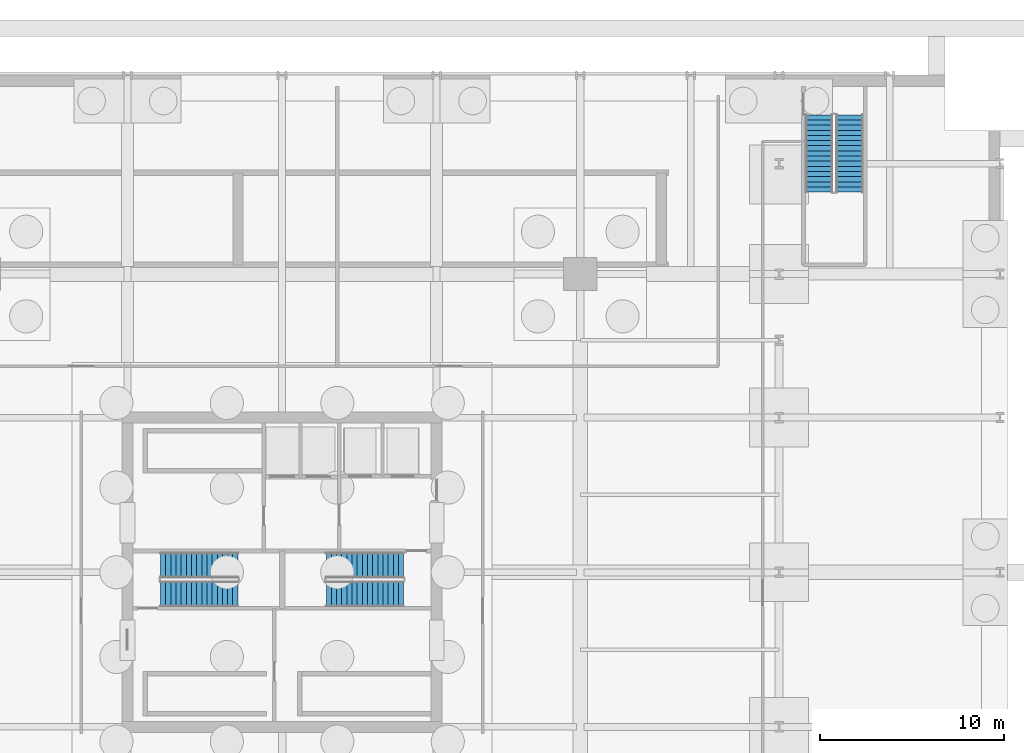
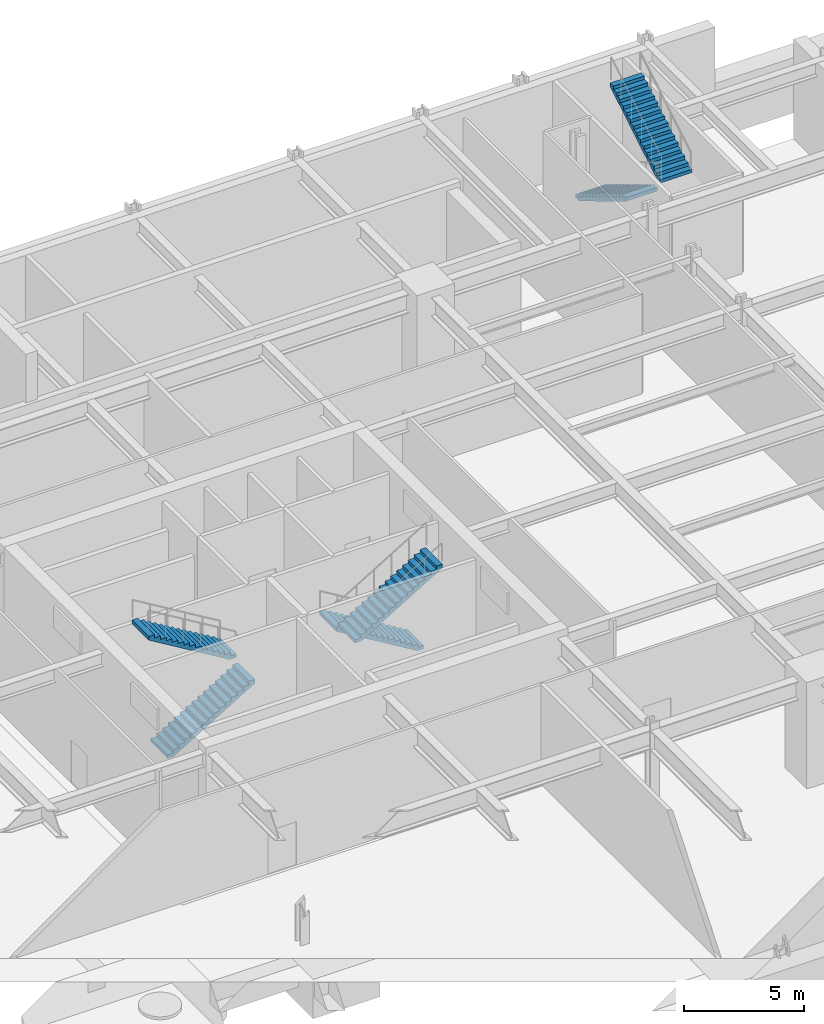
# One storey, part 5 of 9: 6 stair flights, 3 elements without a shape of their own.
"""IFC4 building model written with IfcOpenShell, lengths in metres."""

from ifc_helpers import new_model, si_unit, direction, frame, origin, place, context, subcontext, project, spatial, polyline, outline, extrude, material, type_object, element, aggregate, save


model = new_model("IFC4")

# Units and contexts
model_context = context("Model", 3, precision=1e-05, world=origin(), true_north=direction((0.0, 1.0)))
body_context = subcontext(model_context, "Body", "Model", "MODEL_VIEW")
ifc_project = project(units=[si_unit("LENGTHUNIT", "METRE"), si_unit("AREAUNIT", "SQUARE_METRE"), si_unit("VOLUMEUNIT", "CUBIC_METRE"), si_unit("PLANEANGLEUNIT", "RADIAN"), si_unit("MASSUNIT", "GRAM", prefix="KILO")], contexts=[model_context])

# Site, building, storey
site_placement = place(None, origin())
site = spatial("IfcSite", under=ifc_project, at=site_placement, CompositionType="ELEMENT")
building_placement = place(site_placement, origin())
building = spatial("IfcBuilding", under=site, at=building_placement, Name="Drelvath Grand Hotel", CompositionType="ELEMENT")
storey_placement = place(building_placement, frame((0.0, 0.0, -10.800048828125)))
storey = spatial("IfcBuildingStorey", under=building, at=storey_placement, Name="B2", CompositionType="ELEMENT", Elevation=-10.800048828125)

# Stair, stair flights
ifc_material = material(Name="Concrete C40/50", Category="concrete")
stair_type_1 = type_object("IfcStairType", Name="Dogleg Exit Stair W1400-R168.8", PredefinedType="HALF_TURN_STAIR", material=ifc_material)
stair_1_placement = place(storey_placement, origin())
stair_1 = element("IfcStair", 1, at=stair_1_placement, inside=storey, type_object=stair_type_1, Name="B2 Core Exit Stair ST-1", PredefinedType="HALF_TURN_STAIR")
stair_flight_type_1 = type_object("IfcStairFlightType", Name="Concrete Stair Flight W1400-R168.8", PredefinedType="STRAIGHT", material=ifc_material)
stair_flight_1_placement = place(storey_placement, frame((-6.60009765625, 25.820068359375, 0.0), z_axis=(0.0, 0.0, 1.0), x_axis=(1.0, 0.0, 0.0)))
stair_flight_1 = element("IfcStairFlight", 2, at=stair_flight_1_placement, type_object=stair_flight_type_1, Name="ST-1 flight 1", NumberOfRisers=16, NumberOfTreads=15, PredefinedType="STRAIGHT", RiserHeight=0.16875, TreadLength=0.28, context=body_context, shape_type="SweptSolid", body=[
    extrude(outline(polyline([(0.0, 0.0), (0.0, 0.168701171875), (0.280029296875, 0.168701171875), (0.280029296875, 0.33740234375), (0.56005859375, 0.33740234375), (0.56005859375, 0.50634765625), (0.840087890625, 0.50634765625), (0.840087890625, 0.675048828125), (1.1201171875, 0.675048828125), (1.1201171875, 0.84375), (1.39990234375, 0.84375), (1.39990234375, 1.012451171875), (1.679931640625, 1.012451171875), (1.679931640625, 1.18115234375), (1.9599609375, 1.18115234375), (1.9599609375, 1.35009765625), (2.239990234375, 1.35009765625), (2.239990234375, 1.518798828125), (2.52001953125, 1.518798828125), (2.52001953125, 1.6875), (2.800048828125, 1.6875), (2.800048828125, 1.856201171875), (3.080078125, 1.856201171875), (3.080078125, 2.02490234375), (3.360107421875, 2.02490234375), (3.360107421875, 2.19384765625), (3.639892578125, 2.19384765625), (3.639892578125, 2.362548828125), (3.919921875, 2.362548828125), (3.919921875, 2.53125), (4.199951171875, 2.53125), (4.199951171875, 2.699951171875), (4.199951171875, 2.344482421875), (0.309814453125, 0.0), (0.0, 0.0)])), frame((0.0, 0.699951171875, 0.0), z_axis=(0.0, -1.0, 0.0), x_axis=(1.0, 0.0, 0.0)), (0.0, 0.0, 1.0), 1.39990234375),
])
stair_flight_2_placement = place(storey_placement, frame((-2.39990234375, 27.3798828125, 2.699951171875), z_axis=(0.0, 0.0, 1.0), x_axis=(-1.0, 0.0, 0.0)))
stair_flight_2 = element("IfcStairFlight", 3, at=stair_flight_2_placement, type_object=stair_flight_type_1, Name="ST-1 flight 2", NumberOfRisers=16, NumberOfTreads=15, PredefinedType="STRAIGHT", RiserHeight=0.16875, TreadLength=0.28, context=body_context, shape_type="SweptSolid", body=[
    extrude(outline(polyline([(0.0, 0.0), (0.0, 0.168701171875), (0.280029296875, 0.168701171875), (0.280029296875, 0.33740234375), (0.56005859375, 0.33740234375), (0.56005859375, 0.50634765625), (0.840087890625, 0.50634765625), (0.840087890625, 0.675048828125), (1.1201171875, 0.675048828125), (1.1201171875, 0.84375), (1.39990234375, 0.84375), (1.39990234375, 1.012451171875), (1.679931640625, 1.012451171875), (1.679931640625, 1.18115234375), (1.9599609375, 1.18115234375), (1.9599609375, 1.35009765625), (2.239990234375, 1.35009765625), (2.239990234375, 1.518798828125), (2.52001953125, 1.518798828125), (2.52001953125, 1.6875), (2.800048828125, 1.6875), (2.800048828125, 1.856201171875), (3.080078125, 1.856201171875), (3.080078125, 2.02490234375), (3.360107421875, 2.02490234375), (3.360107421875, 2.19384765625), (3.639892578125, 2.19384765625), (3.639892578125, 2.362548828125), (3.919921875, 2.362548828125), (3.919921875, 2.53125), (4.199951171875, 2.53125), (4.199951171875, 2.699951171875), (4.199951171875, 2.344482421875), (0.309814453125, 0.0), (0.0, 0.0)])), frame((0.0, 0.699951171875, 0.0), z_axis=(0.0, -1.0, 0.0), x_axis=(1.0, 0.0, 0.0)), (0.0, 0.0, 1.0), 1.39990234375),
])
aggregate(stair_1, [stair_flight_1, stair_flight_2])

stair_2_placement = place(storey_placement, origin())
stair_2 = element("IfcStair", 4, at=stair_2_placement, inside=storey, type_object=stair_type_1, Name="B2 Core Exit Stair ST-2", PredefinedType="HALF_TURN_STAIR")
stair_flight_3_placement = place(storey_placement, frame((6.60009765625, 27.3798828125, 0.0), z_axis=(0.0, 0.0, 1.0), x_axis=(-1.0, 0.0, 0.0)))
stair_flight_3 = element("IfcStairFlight", 5, at=stair_flight_3_placement, type_object=stair_flight_type_1, Name="ST-2 flight 1", NumberOfRisers=16, NumberOfTreads=15, PredefinedType="STRAIGHT", RiserHeight=0.16875, TreadLength=0.28, context=body_context, shape_type="SweptSolid", body=[
    extrude(outline(polyline([(0.0, 0.0), (0.0, 0.168701171875), (0.280029296875, 0.168701171875), (0.280029296875, 0.33740234375), (0.56005859375, 0.33740234375), (0.56005859375, 0.50634765625), (0.840087890625, 0.50634765625), (0.840087890625, 0.675048828125), (1.1201171875, 0.675048828125), (1.1201171875, 0.84375), (1.39990234375, 0.84375), (1.39990234375, 1.012451171875), (1.679931640625, 1.012451171875), (1.679931640625, 1.18115234375), (1.9599609375, 1.18115234375), (1.9599609375, 1.35009765625), (2.239990234375, 1.35009765625), (2.239990234375, 1.518798828125), (2.52001953125, 1.518798828125), (2.52001953125, 1.6875), (2.800048828125, 1.6875), (2.800048828125, 1.856201171875), (3.080078125, 1.856201171875), (3.080078125, 2.02490234375), (3.360107421875, 2.02490234375), (3.360107421875, 2.19384765625), (3.639892578125, 2.19384765625), (3.639892578125, 2.362548828125), (3.919921875, 2.362548828125), (3.919921875, 2.53125), (4.199951171875, 2.53125), (4.199951171875, 2.699951171875), (4.199951171875, 2.344482421875), (0.309814453125, 0.0), (0.0, 0.0)])), frame((0.0, 0.699951171875, 0.0), z_axis=(0.0, -1.0, 0.0), x_axis=(1.0, 0.0, 0.0)), (0.0, 0.0, 1.0), 1.39990234375),
])
stair_flight_4_placement = place(storey_placement, frame((2.39990234375, 25.820068359375, 2.699951171875), z_axis=(0.0, 0.0, 1.0), x_axis=(1.0, 0.0, 0.0)))
stair_flight_4 = element("IfcStairFlight", 6, at=stair_flight_4_placement, type_object=stair_flight_type_1, Name="ST-2 flight 2", NumberOfRisers=16, NumberOfTreads=15, PredefinedType="STRAIGHT", RiserHeight=0.16875, TreadLength=0.28, context=body_context, shape_type="SweptSolid", body=[
    extrude(outline(polyline([(0.0, 0.0), (0.0, 0.168701171875), (0.280029296875, 0.168701171875), (0.280029296875, 0.33740234375), (0.56005859375, 0.33740234375), (0.56005859375, 0.50634765625), (0.840087890625, 0.50634765625), (0.840087890625, 0.675048828125), (1.1201171875, 0.675048828125), (1.1201171875, 0.84375), (1.39990234375, 0.84375), (1.39990234375, 1.012451171875), (1.679931640625, 1.012451171875), (1.679931640625, 1.18115234375), (1.9599609375, 1.18115234375), (1.9599609375, 1.35009765625), (2.239990234375, 1.35009765625), (2.239990234375, 1.518798828125), (2.52001953125, 1.518798828125), (2.52001953125, 1.6875), (2.800048828125, 1.6875), (2.800048828125, 1.856201171875), (3.080078125, 1.856201171875), (3.080078125, 2.02490234375), (3.360107421875, 2.02490234375), (3.360107421875, 2.19384765625), (3.639892578125, 2.19384765625), (3.639892578125, 2.362548828125), (3.919921875, 2.362548828125), (3.919921875, 2.53125), (4.199951171875, 2.53125), (4.199951171875, 2.699951171875), (4.199951171875, 2.344482421875), (0.309814453125, 0.0), (0.0, 0.0)])), frame((0.0, 0.699951171875, 0.0), z_axis=(0.0, -1.0, 0.0), x_axis=(1.0, 0.0, 0.0)), (0.0, 0.0, 1.0), 1.39990234375),
])
aggregate(stair_2, [stair_flight_3, stair_flight_4])

stair_type_2 = type_object("IfcStairType", Name="Dogleg Exit Stair W1500-R168.8", PredefinedType="HALF_TURN_STAIR", material=ifc_material)
stair_3_placement = place(storey_placement, origin())
stair_3 = element("IfcStair", 7, at=stair_3_placement, inside=storey, type_object=stair_type_2, Name="B2 Podium Exit Stair ST-4", PredefinedType="HALF_TURN_STAIR")
stair_flight_type_2 = type_object("IfcStairFlightType", Name="Concrete Stair Flight W1500-R168.8", PredefinedType="STRAIGHT", material=ifc_material)
stair_flight_5_placement = place(storey_placement, frame((29.169921875, 51.85009765625, 0.0), z_axis=(0.0, 0.0, 1.0), x_axis=(0.0, -1.0, 0.0)))
stair_flight_5 = element("IfcStairFlight", 8, at=stair_flight_5_placement, type_object=stair_flight_type_2, Name="ST-4 flight 1", NumberOfRisers=16, NumberOfTreads=15, PredefinedType="STRAIGHT", RiserHeight=0.16875, TreadLength=0.28, context=body_context, shape_type="SweptSolid", body=[
    extrude(outline(polyline([(0.0, 0.0), (0.0, 0.168701171875), (0.280029296875, 0.168701171875), (0.280029296875, 0.33740234375), (0.56005859375, 0.33740234375), (0.56005859375, 0.50634765625), (0.840087890625, 0.50634765625), (0.840087890625, 0.675048828125), (1.1201171875, 0.675048828125), (1.1201171875, 0.84375), (1.39990234375, 0.84375), (1.39990234375, 1.012451171875), (1.679931640625, 1.012451171875), (1.679931640625, 1.18115234375), (1.9599609375, 1.18115234375), (1.9599609375, 1.35009765625), (2.239990234375, 1.35009765625), (2.239990234375, 1.518798828125), (2.52001953125, 1.518798828125), (2.52001953125, 1.6875), (2.800048828125, 1.6875), (2.800048828125, 1.856201171875), (3.080078125, 1.856201171875), (3.080078125, 2.02490234375), (3.360107421875, 2.02490234375), (3.360107421875, 2.19384765625), (3.639892578125, 2.19384765625), (3.639892578125, 2.362548828125), (3.919921875, 2.362548828125), (3.919921875, 2.53125), (4.199951171875, 2.53125), (4.199951171875, 2.699951171875), (4.199951171875, 2.344482421875), (0.309814453125, 0.0), (0.0, 0.0)])), frame((0.0, 0.75, 0.0), z_axis=(0.0, -1.0, 0.0), x_axis=(1.0, 0.0, 0.0)), (0.0, 0.0, 1.0), 1.5),
])
stair_flight_6_placement = place(storey_placement, frame((30.830078125, 47.64990234375, 2.699951171875), z_axis=(0.0, 0.0, 1.0), x_axis=(0.0, 1.0, 0.0)))
stair_flight_6 = element("IfcStairFlight", 9, at=stair_flight_6_placement, type_object=stair_flight_type_2, Name="ST-4 flight 2", NumberOfRisers=16, NumberOfTreads=15, PredefinedType="STRAIGHT", RiserHeight=0.16875, TreadLength=0.28, context=body_context, shape_type="SweptSolid", body=[
    extrude(outline(polyline([(0.0, 0.0), (0.0, 0.168701171875), (0.280029296875, 0.168701171875), (0.280029296875, 0.33740234375), (0.56005859375, 0.33740234375), (0.56005859375, 0.50634765625), (0.840087890625, 0.50634765625), (0.840087890625, 0.675048828125), (1.1201171875, 0.675048828125), (1.1201171875, 0.84375), (1.39990234375, 0.84375), (1.39990234375, 1.012451171875), (1.679931640625, 1.012451171875), (1.679931640625, 1.18115234375), (1.9599609375, 1.18115234375), (1.9599609375, 1.35009765625), (2.239990234375, 1.35009765625), (2.239990234375, 1.518798828125), (2.52001953125, 1.518798828125), (2.52001953125, 1.6875), (2.800048828125, 1.6875), (2.800048828125, 1.856201171875), (3.080078125, 1.856201171875), (3.080078125, 2.02490234375), (3.360107421875, 2.02490234375), (3.360107421875, 2.19384765625), (3.639892578125, 2.19384765625), (3.639892578125, 2.362548828125), (3.919921875, 2.362548828125), (3.919921875, 2.53125), (4.199951171875, 2.53125), (4.199951171875, 2.699951171875), (4.199951171875, 2.344482421875), (0.309814453125, 0.0), (0.0, 0.0)])), frame((0.0, 0.75, 0.0), z_axis=(0.0, -1.0, 0.0), x_axis=(1.0, 0.0, 0.0)), (0.0, 0.0, 1.0), 1.5),
])
aggregate(stair_3, [stair_flight_5, stair_flight_6])

save(model, "model.ifc")
